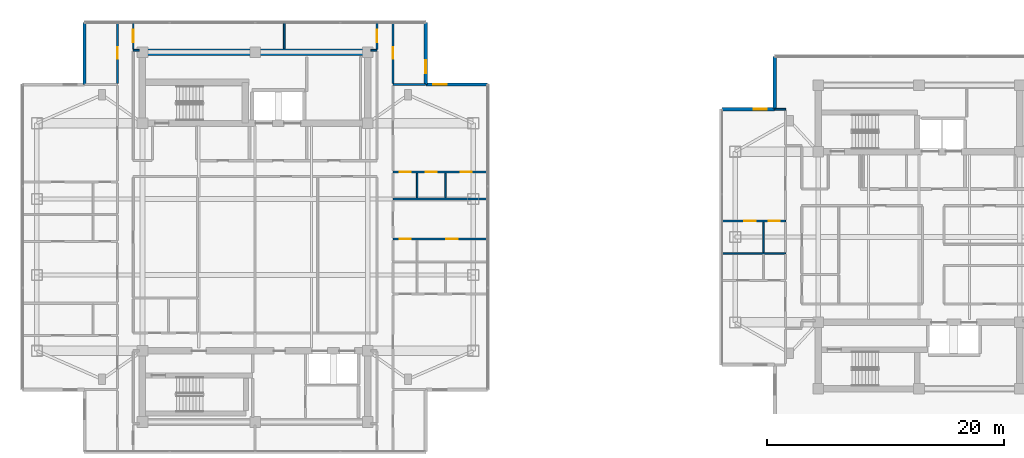
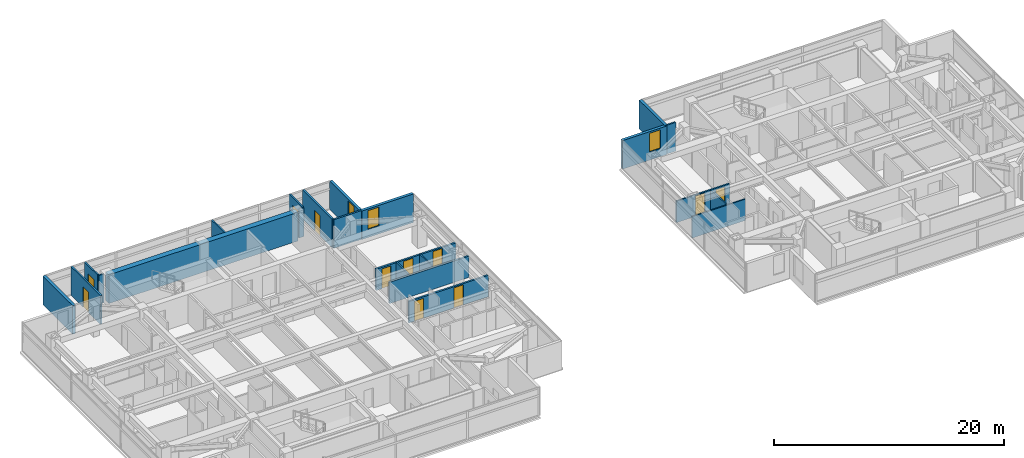
# One storey, part 15 of 24: 23 walls, 11 doors, 3 windows, 14 openings.
"""IFC4 building model written with IfcOpenShell, lengths in metres."""

from ifc_helpers import new_model, si_unit, direction, frame, frame_2d, origin, place, context, subcontext, project, spatial, rectangle, extrude, material, layer, layer_set, type_object, element, fill, save


model = new_model("IFC4")

# Units and contexts
model_context = context("Model", 3, precision=1e-05, world=origin(), true_north=direction((0.0, 1.0)))
body_context = subcontext(model_context, "Body", "Model", "MODEL_VIEW")
ifc_project = project(units=[si_unit("LENGTHUNIT", "METRE"), si_unit("AREAUNIT", "SQUARE_METRE"), si_unit("VOLUMEUNIT", "CUBIC_METRE"), si_unit("PLANEANGLEUNIT", "RADIAN"), si_unit("MASSUNIT", "GRAM", prefix="KILO")], contexts=[model_context])

# Site, building, storey
site_placement = place(None, origin())
site = spatial("IfcSite", under=ifc_project, at=site_placement, CompositionType="ELEMENT")
building_placement = place(site_placement, origin())
building = spatial("IfcBuilding", under=site, at=building_placement, Name="Mirazonda Arch Towers", CompositionType="ELEMENT")
storey_placement = place(building_placement, frame((0.0, 0.0, 186.89990234375)))
storey = spatial("IfcBuildingStorey", under=building, at=storey_placement, Name="L53", CompositionType="ELEMENT", Elevation=186.89990234375)

# Wall
ifc_material_1 = material(Name="Concrete C50/60", Category="concrete")
ifc_layer_1 = layer(ifc_material_1, 0.550048828125, Name="WALL-CORE-550")
ifc_layer_set_1 = layer_set([ifc_layer_1], Name="Concrete C50/60")
wall_type_1 = type_object("IfcWallType", Name="WALL-CORE-550", PredefinedType="SHEAR", material=ifc_layer_set_1)
wall_1_placement = place(storey_placement, frame((11.0, 43.60009765625, 0.0), z_axis=(0.0, 0.0, 1.0), x_axis=(1.0, 0.0, 0.0)))
element("IfcWall", 1, at=wall_1_placement, inside=storey, type_object=wall_type_1, Name="L53 T1N-N Core Shear Wall", PredefinedType="SHEAR", context=body_context, shape_type="SweptSolid", body=[
    extrude(rectangle(XDim=19.0, YDim=0.550048828125, at=frame_2d((9.5, 0.0))), origin(), (0.0, 0.0, 1.0), 3.050048828125),
])

# Wall, opening, window
ifc_material_2 = material(Name="Precast Concrete C40/50", Category="concrete")
ifc_layer_2 = layer(ifc_material_2, 0.280029296875, Name="WALL-EXT-WALL-280")
ifc_layer_set_2 = layer_set([ifc_layer_2], Name="Precast Concrete C40/50")
wall_type_2 = type_object("IfcWallType", Name="WALL-EXT-WALL-280", PredefinedType="SOLIDWALL", material=ifc_layer_set_2)
wall_2_placement = place(storey_placement, frame((34.89501953125, 40.873046875, 0.0), z_axis=(0.0, 0.0, 1.0), x_axis=(0.0, 1.0, 0.0)))
wall_2 = element("IfcWall", 2, at=wall_2_placement, inside=storey, type_object=wall_type_2, Name="L53 T1 Notched NE Corner Wall WL-L53-T1-CNE", PredefinedType="SOLIDWALL", context=body_context, shape_type="SweptSolid", body=[
    extrude(rectangle(XDim=5.21484375, YDim=0.280029296875, at=frame_2d((2.607421875, 0.0))), origin(), (0.0, 0.0, 1.0), 3.030029296875),
])
opening_1_placement = place(wall_2_placement, frame((0.949951171875, 0.0, 0.85009765625)))
opening_1 = element("IfcOpeningElement", 3, at=opening_1_placement, cuts=wall_2, Name="Opening WN-108", PredefinedType="OPENING", context=body_context, shape_type="SweptSolid", body=[
    extrude(rectangle(XDim=1.10009765625, YDim=2.0, at=frame_2d((0.550048828125, 1.0))), frame((0.0, 0.14990234375, 0.0), z_axis=(0.0, -1.0, 0.0), x_axis=(1.0, 0.0, 0.0)), (0.0, 0.0, 1.0), 0.300048828125),
])
ifc_material_3 = material(Name="Insulated Low-E Solar Glass", Category="glass")
window_type = type_object("IfcWindowType", Name="WIN-NOTCH-1100x2000", PartitioningType="SINGLE_PANEL", PredefinedType="WINDOW", material=ifc_material_3)
window_1_placement = place(opening_1_placement, origin())
window_1 = element("IfcWindow", 4, at=window_1_placement, inside=storey, type_object=window_type, Name="L53 Punched Facade Window WN-L53-T1-CNE", OverallHeight=2.0, OverallWidth=1.10009765625, PartitioningType="SINGLE_PANEL", PredefinedType="WINDOW", context=body_context, shape_type="SweptSolid", body=[
    extrude(rectangle(XDim=1.10009765625, YDim=2.0, at=frame_2d((0.550048828125, 1.0))), frame((0.0, 0.030029296875, 0.0), z_axis=(0.0, -1.0, 0.0), x_axis=(1.0, 0.0, 0.0)), (0.0, 0.0, 1.0), 0.06005859375),
])
fill(opening_1, window_1)

# Wall
wall_3_placement = place(storey_placement, frame((6.10498046875, 46.087890625, 0.0), z_axis=(0.0, 0.0, 1.0), x_axis=(0.0, -1.0, 0.0)))
element("IfcWall", 5, at=wall_3_placement, inside=storey, type_object=wall_type_2, Name="L53 T1 Corner Notch Return Wall WL-L53-T1-CNW2", PredefinedType="SOLIDWALL", context=body_context, shape_type="SweptSolid", body=[
    extrude(rectangle(XDim=5.21484375, YDim=0.280029296875, at=frame_2d((2.607421875, 0.0))), origin(), (0.0, 0.0, 1.0), 3.030029296875),
])

# Wall, opening, window
wall_4_placement = place(storey_placement, frame((40.110107421875, 40.873046875, 0.0), z_axis=(0.0, 0.0, 1.0), x_axis=(-1.0, 0.0, 0.0)))
wall_4 = element("IfcWall", 6, at=wall_4_placement, inside=storey, type_object=wall_type_2, Name="L53 T1 Corner Notch Return Wall WL-L53-T1-CNE2", PredefinedType="SOLIDWALL", context=body_context, shape_type="SweptSolid", body=[
    extrude(rectangle(XDim=5.215087890625, YDim=0.280029296875, at=frame_2d((2.607421875, 0.0))), origin(), (0.0, 0.0, 1.0), 3.030029296875),
])
opening_2_placement = place(wall_4_placement, frame((3.465087890625, 0.0, 0.85009765625)))
opening_2 = element("IfcOpeningElement", 7, at=opening_2_placement, cuts=wall_4, Name="Opening WN-108", PredefinedType="OPENING", context=body_context, shape_type="SweptSolid", body=[
    extrude(rectangle(XDim=1.10009765625, YDim=2.0, at=frame_2d((0.550048828125, 1.0))), frame((0.0, 0.14990234375, 0.0), z_axis=(0.0, -1.0, 0.0), x_axis=(1.0, 0.0, 0.0)), (0.0, 0.0, 1.0), 0.300048828125),
])
window_2_placement = place(opening_2_placement, origin())
window_2 = element("IfcWindow", 8, at=window_2_placement, inside=storey, type_object=window_type, Name="L53 Punched Facade Window WN-L53-T1-CNE2", OverallHeight=2.0, OverallWidth=1.10009765625, PartitioningType="SINGLE_PANEL", PredefinedType="WINDOW", context=body_context, shape_type="SweptSolid", body=[
    extrude(rectangle(XDim=1.10009765625, YDim=2.0, at=frame_2d((0.550048828125, 1.0))), frame((0.0, 0.030029296875, 0.0), z_axis=(0.0, -1.0, 0.0), x_axis=(1.0, 0.0, 0.0)), (0.0, 0.0, 1.0), 0.06005859375),
])
fill(opening_2, window_2)

wall_5_placement = place(storey_placement, frame((64.32421875, 38.781982421875, 0.0), z_axis=(0.0, 0.0, 1.0), x_axis=(-1.0, 0.0, 0.0)))
wall_5 = element("IfcWall", 9, at=wall_5_placement, inside=storey, type_object=wall_type_2, Name="L53 T2 Corner Notch Return Wall WL-L53-T2-CNW1", PredefinedType="SOLIDWALL", context=body_context, shape_type="SweptSolid", body=[
    extrude(rectangle(XDim=4.439697265625, YDim=0.280029296875, at=frame_2d((2.2197265625, 0.0))), origin(), (0.0, 0.0, 1.0), 3.030029296875),
])
opening_3_placement = place(wall_5_placement, frame((0.64990234375, 0.0, 0.85009765625)))
opening_3 = element("IfcOpeningElement", 10, at=opening_3_placement, cuts=wall_5, Name="Opening WN-108", PredefinedType="OPENING", context=body_context, shape_type="SweptSolid", body=[
    extrude(rectangle(XDim=1.10009765625, YDim=2.0, at=frame_2d((0.550048828125, 1.0))), frame((0.0, 0.14990234375, 0.0), z_axis=(0.0, -1.0, 0.0), x_axis=(1.0, 0.0, 0.0)), (0.0, 0.0, 1.0), 0.300048828125),
])
window_3_placement = place(opening_3_placement, origin())
window_3 = element("IfcWindow", 11, at=window_3_placement, inside=storey, type_object=window_type, Name="L53 Punched Facade Window WN-L53-T2-CNW1", OverallHeight=2.0, OverallWidth=1.10009765625, PartitioningType="SINGLE_PANEL", PredefinedType="WINDOW", context=body_context, shape_type="SweptSolid", body=[
    extrude(rectangle(XDim=1.10009765625, YDim=2.0, at=frame_2d((0.550048828125, 1.0))), frame((0.0, 0.030029296875, 0.0), z_axis=(0.0, -1.0, 0.0), x_axis=(1.0, 0.0, 0.0)), (0.0, 0.0, 1.0), 0.06005859375),
])
fill(opening_3, window_3)

# Wall
wall_6_placement = place(storey_placement, frame((64.32421875, 43.2216796875, 0.0), z_axis=(0.0, 0.0, 1.0), x_axis=(0.0, -1.0, 0.0)))
element("IfcWall", 12, at=wall_6_placement, inside=storey, type_object=wall_type_2, Name="L53 T2 Corner Notch Return Wall WL-L53-T2-CNW2", PredefinedType="SOLIDWALL", context=body_context, shape_type="SweptSolid", body=[
    extrude(rectangle(XDim=4.439697265625, YDim=0.280029296875, at=frame_2d((2.2197265625, 0.0))), origin(), (0.0, 0.0, 1.0), 3.030029296875),
])

# Wall, openings, doors
ifc_material_4 = material(Name="Fire-Rated Gypsum Stud Partition")
ifc_layer_3 = layer(ifc_material_4, 0.14990234375, Name="WALL-PART-CORR-150")
ifc_layer_set_3 = layer_set([ifc_layer_3], Name="Fire-Rated Gypsum Stud Partition")
wall_type_3 = type_object("IfcWallType", Name="WALL-PART-CORR-150", PredefinedType="PARTITIONING", material=ifc_layer_set_3)
wall_7_placement = place(storey_placement, frame((59.884033203125, 29.35205078125, 0.0), z_axis=(0.0, 0.0, 1.0), x_axis=(1.0, 0.0, 0.0)))
wall_7 = element("IfcWall", 13, at=wall_7_placement, inside=storey, type_object=wall_type_3, Name="L53 Interior Partition 036", PredefinedType="PARTITIONING", context=body_context, shape_type="SweptSolid", body=[
    extrude(rectangle(XDim=5.365966796875, YDim=0.14990234375, at=frame_2d((2.68310546875, 0.0))), origin(), (0.0, 0.0, 1.0), 2.26904296875),
])
opening_4_placement = place(wall_7_placement, frame((1.887939453125, 0.0, 0.0)))
opening_4 = element("IfcOpeningElement", 14, at=opening_4_placement, cuts=wall_7, Name="Opening DR-104", PredefinedType="OPENING", context=body_context, shape_type="SweptSolid", body=[
    extrude(rectangle(XDim=0.949951171875, YDim=2.14990234375, at=frame_2d((0.47509765625, 1.074951171875))), frame((0.0, 0.0849609375, 0.0), z_axis=(0.0, -1.0, 0.0), x_axis=(1.0, 0.0, 0.0)), (0.0, 0.0, 1.0), 0.169921875),
])
opening_5_placement = place(wall_7_placement, frame((3.9560546875, 0.0, 0.0)))
opening_5 = element("IfcOpeningElement", 15, at=opening_5_placement, cuts=wall_7, Name="Opening DR-120", PredefinedType="OPENING", context=body_context, shape_type="SweptSolid", body=[
    extrude(rectangle(XDim=0.89990234375, YDim=2.10009765625, at=frame_2d((0.449951171875, 1.050048828125))), frame((0.0, 0.0849609375, 0.0), z_axis=(0.0, -1.0, 0.0), x_axis=(1.0, 0.0, 0.0)), (0.0, 0.0, 1.0), 0.169921875),
])
ifc_material_5 = material(Name="Architectural Brushed Steel S355", Category="steel")
door_type_1 = type_object("IfcDoorType", Name="DOOR-ROOM-950", OperationType="NOTDEFINED", PredefinedType="DOOR", material=ifc_material_5)
door_1_placement = place(opening_4_placement, origin())
door_1 = element("IfcDoor", 16, at=door_1_placement, inside=storey, type_object=door_type_1, Name="L53 Studio 2 Galley Kitchen Door", OperationType="SINGLE_SWING_LEFT", OverallHeight=2.14990234375, OverallWidth=0.949951171875, PredefinedType="DOOR", context=body_context, shape_type="SweptSolid", body=[
    extrude(rectangle(XDim=0.949951171875, YDim=2.14990234375, at=frame_2d((0.47509765625, 1.074951171875))), frame((0.0, 0.02490234375, 0.0), z_axis=(0.0, -1.0, 0.0), x_axis=(1.0, 0.0, 0.0)), (0.0, 0.0, 1.0), 0.050048828125),
])
fill(opening_4, door_1)
door_type_2 = type_object("IfcDoorType", Name="DOOR-WC-900", OperationType="NOTDEFINED", PredefinedType="DOOR", material=ifc_material_5)
door_2_placement = place(opening_5_placement, origin())
door_2 = element("IfcDoor", 17, at=door_2_placement, inside=storey, type_object=door_type_2, Name="L53 Studio 2 Bathroom Door", OperationType="SINGLE_SWING_RIGHT", OverallHeight=2.10009765625, OverallWidth=0.89990234375, PredefinedType="DOOR", context=body_context, shape_type="SweptSolid", body=[
    extrude(rectangle(XDim=0.89990234375, YDim=2.10009765625, at=frame_2d((0.449951171875, 1.050048828125))), frame((0.0, 0.02490234375, 0.0), z_axis=(0.0, -1.0, 0.0), x_axis=(1.0, 0.0, 0.0)), (0.0, 0.0, 1.0), 0.050048828125),
])
fill(opening_5, door_2)

# Walls
wall_8_placement = place(storey_placement, frame((64.34423828125, 38.781982421875, 0.0), z_axis=(0.0, 0.0, 1.0), x_axis=(1.0, 0.0, 0.0)))
element("IfcWall", 18, at=wall_8_placement, inside=storey, type_object=wall_type_3, Name="L53 Interior Partition 054", PredefinedType="PARTITIONING", context=body_context, shape_type="SweptSolid", body=[
    extrude(rectangle(XDim=0.90576171875, YDim=0.14990234375, at=frame_2d((0.452880859375, 0.0))), origin(), (0.0, 0.0, 1.0), 3.050048828125),
])
for number, where, z_axis, x_axis, name in (
    (19, (10.219970703125, 43.75, 0.0), (0.0, 0.0, 1.0), (1.0, 0.0, 0.0), "L53 Interior Partition 059"),
    (20, (30.27001953125, 43.75, 0.0), (0.0, 0.0, 1.0), (1.0, 0.0, 0.0), "L53 Interior Partition 060"),
):
    element("IfcWall", number, at=place(storey_placement, frame(where, z_axis=z_axis, x_axis=x_axis)), inside=storey, type_object=wall_type_3, Name=name, PredefinedType="PARTITIONING", context=body_context, shape_type="SweptSolid", body=[
        extrude(rectangle(XDim=0.510009765625, YDim=0.14990234375, at=frame_2d((0.2548828125, 0.0))), origin(), (0.0, 0.0, 1.0), 3.050048828125),
    ])

# Wall, opening, door
wall_9_placement = place(storey_placement, frame((10.219970703125, 43.8349609375, 0.0), z_axis=(0.0, 0.0, 1.0), x_axis=(0.0, 1.0, 0.0)))
wall_9 = element("IfcWall", 21, at=wall_9_placement, inside=storey, type_object=wall_type_3, Name="L53 Interior Partition 077", PredefinedType="PARTITIONING", context=body_context, shape_type="SweptSolid", body=[
    extrude(rectangle(XDim=2.2529296875, YDim=0.14990234375, at=frame_2d((1.12646484375, 0.0))), origin(), (0.0, 0.0, 1.0), 3.050048828125),
])
opening_6_placement = place(wall_9_placement, frame((0.6015625, 0.0, 0.0)))
opening_6 = element("IfcOpeningElement", 22, at=opening_6_placement, cuts=wall_9, Name="Opening DR-121", PredefinedType="OPENING", context=body_context, shape_type="SweptSolid", body=[
    extrude(rectangle(XDim=1.050048828125, YDim=2.199951171875, at=frame_2d((0.52490234375, 1.10009765625))), frame((0.0, 0.0849609375, 0.0), z_axis=(0.0, -1.0, 0.0), x_axis=(1.0, 0.0, 0.0)), (0.0, 0.0, 1.0), 0.169921875),
])
door_type_3 = type_object("IfcDoorType", Name="DOOR-SUITE-FD60-1050", OperationType="NOTDEFINED", PredefinedType="DOOR", material=ifc_material_5)
door_3_placement = place(opening_6_placement, origin())
door_3 = element("IfcDoor", 23, at=door_3_placement, inside=storey, type_object=door_type_3, Name="L53 North Bay Sunroom West Door", OperationType="SINGLE_SWING_LEFT", OverallHeight=2.199951171875, OverallWidth=1.050048828125, PredefinedType="DOOR", context=body_context, shape_type="SweptSolid", body=[
    extrude(rectangle(XDim=1.050048828125, YDim=2.199951171875, at=frame_2d((0.52490234375, 1.10009765625))), frame((0.0, 0.02490234375, 0.0), z_axis=(0.0, -1.0, 0.0), x_axis=(1.0, 0.0, 0.0)), (0.0, 0.0, 1.0), 0.050048828125),
])
fill(opening_6, door_3)

# Wall
wall_10_placement = place(storey_placement, frame((22.967041015625, 43.8701171875, 0.0), z_axis=(0.0, 0.0, 1.0), x_axis=(0.0, 1.0, 0.0)))
element("IfcWall", 24, at=wall_10_placement, inside=storey, type_object=wall_type_3, Name="L53 Interior Partition 090", PredefinedType="PARTITIONING", context=body_context, shape_type="SweptSolid", body=[
    extrude(rectangle(XDim=2.2177734375, YDim=0.14990234375, at=frame_2d((1.10888671875, 0.0))), origin(), (0.0, 0.0, 1.0), 3.050048828125),
])

# Wall, opening, door
wall_11_placement = place(storey_placement, frame((30.780029296875, 43.8349609375, 0.0), z_axis=(0.0, 0.0, 1.0), x_axis=(0.0, 1.0, 0.0)))
wall_11 = element("IfcWall", 25, at=wall_11_placement, inside=storey, type_object=wall_type_3, Name="L53 Interior Partition 105", PredefinedType="PARTITIONING", context=body_context, shape_type="SweptSolid", body=[
    extrude(rectangle(XDim=2.2529296875, YDim=0.14990234375, at=frame_2d((1.12646484375, 0.0))), origin(), (0.0, 0.0, 1.0), 3.050048828125),
])
opening_7_placement = place(wall_11_placement, frame((0.6015625, 0.0, 0.0)))
opening_7 = element("IfcOpeningElement", 26, at=opening_7_placement, cuts=wall_11, Name="Opening DR-121", PredefinedType="OPENING", context=body_context, shape_type="SweptSolid", body=[
    extrude(rectangle(XDim=1.050048828125, YDim=2.199951171875, at=frame_2d((0.52490234375, 1.10009765625))), frame((0.0, 0.0849609375, 0.0), z_axis=(0.0, -1.0, 0.0), x_axis=(1.0, 0.0, 0.0)), (0.0, 0.0, 1.0), 0.169921875),
])
door_4_placement = place(opening_7_placement, origin())
door_4 = element("IfcDoor", 27, at=door_4_placement, inside=storey, type_object=door_type_3, Name="L53 North Bay Sunroom East Door", OperationType="SINGLE_SWING_RIGHT", OverallHeight=2.199951171875, OverallWidth=1.050048828125, PredefinedType="DOOR", context=body_context, shape_type="SweptSolid", body=[
    extrude(rectangle(XDim=1.050048828125, YDim=2.199951171875, at=frame_2d((0.52490234375, 1.10009765625))), frame((0.0, 0.02490234375, 0.0), z_axis=(0.0, -1.0, 0.0), x_axis=(1.0, 0.0, 0.0)), (0.0, 0.0, 1.0), 0.050048828125),
])
fill(opening_7, door_4)

# Wall, openings, doors
ifc_material_6 = material(Name="Fire-Rated Gypsum Twin-Stud Assembly")
ifc_layer_4 = layer(ifc_material_6, 0.179931640625, Name="WALL-PART-DEMISE-180")
ifc_layer_set_4 = layer_set([ifc_layer_4], Name="Fire-Rated Gypsum Twin-Stud Assembly")
wall_type_4 = type_object("IfcWallType", Name="WALL-PART-DEMISE-180", PredefinedType="PARTITIONING", material=ifc_layer_set_4)
wall_12_placement = place(storey_placement, frame((32.1201171875, 27.825927734375, 0.0), z_axis=(0.0, 0.0, 1.0), x_axis=(1.0, 0.0, 0.0)))
wall_12 = element("IfcWall", 28, at=wall_12_placement, inside=storey, type_object=wall_type_4, Name="L53 Interior Partition 035", PredefinedType="PARTITIONING", context=body_context, shape_type="SweptSolid", body=[
    extrude(rectangle(XDim=7.989990234375, YDim=0.179931640625, at=frame_2d((3.9951171875, 0.0))), origin(), (0.0, 0.0, 1.0), 2.26904296875),
])
opening_8_placement = place(wall_12_placement, frame((4.52001953125, 0.0, 0.0)))
opening_8 = element("IfcOpeningElement", 29, at=opening_8_placement, cuts=wall_12, Name="Opening DR-104", PredefinedType="OPENING", context=body_context, shape_type="SweptSolid", body=[
    extrude(rectangle(XDim=0.949951171875, YDim=2.14990234375, at=frame_2d((0.47509765625, 1.074951171875))), frame((0.0, 0.099853515625, 0.0), z_axis=(0.0, -1.0, 0.0), x_axis=(1.0, 0.0, 0.0)), (0.0, 0.0, 1.0), 0.199951171875),
])
opening_9_placement = place(wall_12_placement, frame((0.590087890625, 0.0, 0.0)))
opening_9 = element("IfcOpeningElement", 30, at=opening_9_placement, cuts=wall_12, Name="Opening DR-120", PredefinedType="OPENING", context=body_context, shape_type="SweptSolid", body=[
    extrude(rectangle(XDim=0.89990234375, YDim=2.10009765625, at=frame_2d((0.449951171875, 1.050048828125))), frame((0.0, 0.099853515625, 0.0), z_axis=(0.0, -1.0, 0.0), x_axis=(1.0, 0.0, 0.0)), (0.0, 0.0, 1.0), 0.199951171875),
])
door_5_placement = place(opening_8_placement, origin())
door_5 = element("IfcDoor", 31, at=door_5_placement, inside=storey, type_object=door_type_1, Name="L53 Studio 2 Galley Kitchen Door", OperationType="SINGLE_SWING_RIGHT", OverallHeight=2.14990234375, OverallWidth=0.949951171875, PredefinedType="DOOR", context=body_context, shape_type="SweptSolid", body=[
    extrude(rectangle(XDim=0.949951171875, YDim=2.14990234375, at=frame_2d((0.47509765625, 1.074951171875))), frame((0.0, 0.02490234375, 0.0), z_axis=(0.0, -1.0, 0.0), x_axis=(1.0, 0.0, 0.0)), (0.0, 0.0, 1.0), 0.050048828125),
])
fill(opening_8, door_5)
door_6_placement = place(opening_9_placement, origin())
door_6 = element("IfcDoor", 32, at=door_6_placement, inside=storey, type_object=door_type_2, Name="L53 Studio 2 Bathroom Door", OperationType="SINGLE_SWING_LEFT", OverallHeight=2.10009765625, OverallWidth=0.89990234375, PredefinedType="DOOR", context=body_context, shape_type="SweptSolid", body=[
    extrude(rectangle(XDim=0.89990234375, YDim=2.10009765625, at=frame_2d((0.449951171875, 1.050048828125))), frame((0.0, 0.02490234375, 0.0), z_axis=(0.0, -1.0, 0.0), x_axis=(1.0, 0.0, 0.0)), (0.0, 0.0, 1.0), 0.050048828125),
])
fill(opening_9, door_6)

# Wall
wall_13_placement = place(storey_placement, frame((32.1201171875, 31.199951171875, 0.0), z_axis=(0.0, 0.0, 1.0), x_axis=(1.0, 0.0, 0.0)))
element("IfcWall", 33, at=wall_13_placement, inside=storey, type_object=wall_type_4, Name="L53 Interior Partition 041", PredefinedType="PARTITIONING", context=body_context, shape_type="SweptSolid", body=[
    extrude(rectangle(XDim=7.989990234375, YDim=0.179931640625, at=frame_2d((3.9951171875, 0.0))), origin(), (0.0, 0.0, 1.0), 2.26904296875),
])

# Wall, openings, doors
wall_14_placement = place(storey_placement, frame((32.1201171875, 33.5, 0.0), z_axis=(0.0, 0.0, 1.0), x_axis=(1.0, 0.0, 0.0)))
wall_14 = element("IfcWall", 34, at=wall_14_placement, inside=storey, type_object=wall_type_4, Name="L53 Interior Partition 047", PredefinedType="PARTITIONING", context=body_context, shape_type="SweptSolid", body=[
    extrude(rectangle(XDim=7.989990234375, YDim=0.179931640625, at=frame_2d((3.9951171875, 0.0))), origin(), (0.0, 0.0, 1.0), 2.26904296875),
])
opening_10_placement = place(wall_14_placement, frame((5.7099609375, 0.0, 0.0)))
opening_10 = element("IfcOpeningElement", 35, at=opening_10_placement, cuts=wall_14, Name="Opening DR-104", PredefinedType="OPENING", context=body_context, shape_type="SweptSolid", body=[
    extrude(rectangle(XDim=0.949951171875, YDim=2.14990234375, at=frame_2d((0.47509765625, 1.074951171875))), frame((0.0, 0.099853515625, 0.0), z_axis=(0.0, -1.0, 0.0), x_axis=(1.0, 0.0, 0.0)), (0.0, 0.0, 1.0), 0.199951171875),
])
opening_11_placement = place(wall_14_placement, frame((2.7548828125, 0.0, 0.0)))
opening_11 = element("IfcOpeningElement", 36, at=opening_11_placement, cuts=wall_14, Name="Opening DR-104", PredefinedType="OPENING", context=body_context, shape_type="SweptSolid", body=[
    extrude(rectangle(XDim=0.949951171875, YDim=2.14990234375, at=frame_2d((0.47509765625, 1.074951171875))), frame((0.0, 0.099853515625, 0.0), z_axis=(0.0, -1.0, 0.0), x_axis=(1.0, 0.0, 0.0)), (0.0, 0.0, 1.0), 0.199951171875),
])
opening_12_placement = place(wall_14_placement, frame((0.590087890625, 0.0, 0.0)))
opening_12 = element("IfcOpeningElement", 37, at=opening_12_placement, cuts=wall_14, Name="Opening DR-120", PredefinedType="OPENING", context=body_context, shape_type="SweptSolid", body=[
    extrude(rectangle(XDim=0.89990234375, YDim=2.10009765625, at=frame_2d((0.449951171875, 1.050048828125))), frame((0.0, 0.099853515625, 0.0), z_axis=(0.0, -1.0, 0.0), x_axis=(1.0, 0.0, 0.0)), (0.0, 0.0, 1.0), 0.199951171875),
])
door_7_placement = place(opening_10_placement, origin())
door_7 = element("IfcDoor", 38, at=door_7_placement, inside=storey, type_object=door_type_1, Name="L53 Residence 3 Principal Bedroom Door", OperationType="SINGLE_SWING_LEFT", OverallHeight=2.14990234375, OverallWidth=0.949951171875, PredefinedType="DOOR", context=body_context, shape_type="SweptSolid", body=[
    extrude(rectangle(XDim=0.949951171875, YDim=2.14990234375, at=frame_2d((0.47509765625, 1.074951171875))), frame((0.0, 0.02490234375, 0.0), z_axis=(0.0, -1.0, 0.0), x_axis=(1.0, 0.0, 0.0)), (0.0, 0.0, 1.0), 0.050048828125),
])
fill(opening_10, door_7)
door_8_placement = place(opening_11_placement, origin())
door_8 = element("IfcDoor", 39, at=door_8_placement, inside=storey, type_object=door_type_1, Name="L53 Residence 3 Fitted Kitchen Door", OperationType="SINGLE_SWING_RIGHT", OverallHeight=2.14990234375, OverallWidth=0.949951171875, PredefinedType="DOOR", context=body_context, shape_type="SweptSolid", body=[
    extrude(rectangle(XDim=0.949951171875, YDim=2.14990234375, at=frame_2d((0.47509765625, 1.074951171875))), frame((0.0, 0.02490234375, 0.0), z_axis=(0.0, -1.0, 0.0), x_axis=(1.0, 0.0, 0.0)), (0.0, 0.0, 1.0), 0.050048828125),
])
fill(opening_11, door_8)
door_9_placement = place(opening_12_placement, origin())
door_9 = element("IfcDoor", 40, at=door_9_placement, inside=storey, type_object=door_type_2, Name="L53 Residence 3 Bathroom Door", OperationType="SINGLE_SWING_LEFT", OverallHeight=2.10009765625, OverallWidth=0.89990234375, PredefinedType="DOOR", context=body_context, shape_type="SweptSolid", body=[
    extrude(rectangle(XDim=0.89990234375, YDim=2.10009765625, at=frame_2d((0.449951171875, 1.050048828125))), frame((0.0, 0.02490234375, 0.0), z_axis=(0.0, -1.0, 0.0), x_axis=(1.0, 0.0, 0.0)), (0.0, 0.0, 1.0), 0.050048828125),
])
fill(opening_12, door_9)

# Wall
wall_15_placement = place(storey_placement, frame((32.1201171875, 40.873046875, 0.0), z_axis=(0.0, 0.0, 1.0), x_axis=(1.0, 0.0, 0.0)))
element("IfcWall", 41, at=wall_15_placement, inside=storey, type_object=wall_type_4, Name="L53 Interior Partition 058", PredefinedType="PARTITIONING", context=body_context, shape_type="SweptSolid", body=[
    extrude(rectangle(XDim=2.7548828125, YDim=0.179931640625, at=frame_2d((1.37744140625, 0.0))), origin(), (0.0, 0.0, 1.0), 3.050048828125),
])

# Wall, opening, door
wall_16_placement = place(storey_placement, frame((8.8798828125, 40.972900390625, 0.0), z_axis=(0.0, 0.0, 1.0), x_axis=(0.0, 1.0, 0.0)))
wall_16 = element("IfcWall", 42, at=wall_16_placement, inside=storey, type_object=wall_type_4, Name="L53 Interior Partition 071", PredefinedType="PARTITIONING", context=body_context, shape_type="SweptSolid", body=[
    extrude(rectangle(XDim=5.114990234375, YDim=0.179931640625, at=frame_2d((2.5576171875, 0.0))), origin(), (0.0, 0.0, 1.0), 3.050048828125),
])
opening_13_placement = place(wall_16_placement, frame((2.08251953125, 0.0, 0.0)))
opening_13 = element("IfcOpeningElement", 43, at=opening_13_placement, cuts=wall_16, Name="Opening DR-104", PredefinedType="OPENING", context=body_context, shape_type="SweptSolid", body=[
    extrude(rectangle(XDim=0.949951171875, YDim=2.14990234375, at=frame_2d((0.47509765625, 1.074951171875))), frame((0.0, 0.099853515625, 0.0), z_axis=(0.0, -1.0, 0.0), x_axis=(1.0, 0.0, 0.0)), (0.0, 0.0, 1.0), 0.199951171875),
])
door_10_placement = place(opening_13_placement, origin())
door_10 = element("IfcDoor", 44, at=door_10_placement, inside=storey, type_object=door_type_1, Name="L53 North Bay Sunroom Alcove West Door", OperationType="SINGLE_SWING_LEFT", OverallHeight=2.14990234375, OverallWidth=0.949951171875, PredefinedType="DOOR", context=body_context, shape_type="SweptSolid", body=[
    extrude(rectangle(XDim=0.949951171875, YDim=2.14990234375, at=frame_2d((0.47509765625, 1.074951171875))), frame((0.0, 0.02490234375, 0.0), z_axis=(0.0, -1.0, 0.0), x_axis=(1.0, 0.0, 0.0)), (0.0, 0.0, 1.0), 0.050048828125),
])
fill(opening_13, door_10)

wall_17_placement = place(storey_placement, frame((32.1201171875, 40.972900390625, 0.0), z_axis=(0.0, 0.0, 1.0), x_axis=(0.0, 1.0, 0.0)))
wall_17 = element("IfcWall", 45, at=wall_17_placement, inside=storey, type_object=wall_type_4, Name="L53 Interior Partition 113", PredefinedType="PARTITIONING", context=body_context, shape_type="SweptSolid", body=[
    extrude(rectangle(XDim=5.114990234375, YDim=0.179931640625, at=frame_2d((2.5576171875, 0.0))), origin(), (0.0, 0.0, 1.0), 3.050048828125),
])
opening_14_placement = place(wall_17_placement, frame((2.08251953125, 0.0, 0.0)))
opening_14 = element("IfcOpeningElement", 46, at=opening_14_placement, cuts=wall_17, Name="Opening DR-104", PredefinedType="OPENING", context=body_context, shape_type="SweptSolid", body=[
    extrude(rectangle(XDim=0.949951171875, YDim=2.14990234375, at=frame_2d((0.47509765625, 1.074951171875))), frame((0.0, 0.099853515625, 0.0), z_axis=(0.0, -1.0, 0.0), x_axis=(1.0, 0.0, 0.0)), (0.0, 0.0, 1.0), 0.199951171875),
])
door_11_placement = place(opening_14_placement, origin())
door_11 = element("IfcDoor", 47, at=door_11_placement, inside=storey, type_object=door_type_1, Name="L53 North Bay Sunroom Alcove East Door", OperationType="SINGLE_SWING_RIGHT", OverallHeight=2.14990234375, OverallWidth=0.949951171875, PredefinedType="DOOR", context=body_context, shape_type="SweptSolid", body=[
    extrude(rectangle(XDim=0.949951171875, YDim=2.14990234375, at=frame_2d((0.47509765625, 1.074951171875))), frame((0.0, 0.02490234375, 0.0), z_axis=(0.0, -1.0, 0.0), x_axis=(1.0, 0.0, 0.0)), (0.0, 0.0, 1.0), 0.050048828125),
])
fill(opening_14, door_11)

# Walls
ifc_material_7 = material(Name="Acoustic Fire-Rated Gypsum Partition")
ifc_layer_5 = layer(ifc_material_7, 0.125, Name="WALL-PART-UNIT-125")
ifc_layer_set_5 = layer_set([ifc_layer_5], Name="Acoustic Fire-Rated Gypsum Partition")
wall_type_5 = type_object("IfcWallType", Name="WALL-PART-UNIT-125", PredefinedType="PARTITIONING", material=ifc_layer_set_5)
wall_18_placement = place(storey_placement, frame((59.884033203125, 26.632080078125, 0.0), z_axis=(0.0, 0.0, 1.0), x_axis=(1.0, 0.0, 0.0)))
element("IfcWall", 48, at=wall_18_placement, inside=storey, type_object=wall_type_5, Name="L53 Interior Partition 031", PredefinedType="PARTITIONING", context=body_context, shape_type="SweptSolid", body=[
    extrude(rectangle(XDim=5.365966796875, YDim=0.125, at=frame_2d((2.68310546875, 0.0))), origin(), (0.0, 0.0, 1.0), 2.26904296875),
])
for number, where, z_axis, x_axis, name in (
    (49, (34.159912109375, 31.300048828125, 0.0), (0.0, 0.0, 1.0), (0.0, 1.0, 0.0), "L53 Interior Partition 116"),
    (50, (36.5400390625, 31.300048828125, 0.0), (0.0, 0.0, 1.0), (0.0, 1.0, 0.0), "L53 Interior Partition 118"),
):
    element("IfcWall", number, at=place(storey_placement, frame(where, z_axis=z_axis, x_axis=x_axis)), inside=storey, type_object=wall_type_5, Name=name, PredefinedType="PARTITIONING", context=body_context, shape_type="SweptSolid", body=[
        extrude(rectangle(XDim=2.099853515625, YDim=0.125, at=frame_2d((1.0498046875, 0.0))), origin(), (0.0, 0.0, 1.0), 2.34619140625),
    ])
wall_19_placement = place(storey_placement, frame((63.3701171875, 26.70458984375, 0.0), z_axis=(0.0, 0.0, 1.0), x_axis=(0.0, 1.0, 0.0)))
element("IfcWall", 51, at=wall_19_placement, inside=storey, type_object=wall_type_5, Name="L53 Interior Partition 120", PredefinedType="PARTITIONING", context=body_context, shape_type="SweptSolid", body=[
    extrude(rectangle(XDim=2.5625, YDim=0.125, at=frame_2d((1.28125, 0.0))), origin(), (0.0, 0.0, 1.0), 2.34619140625),
])

save(model, "model.ifc")
